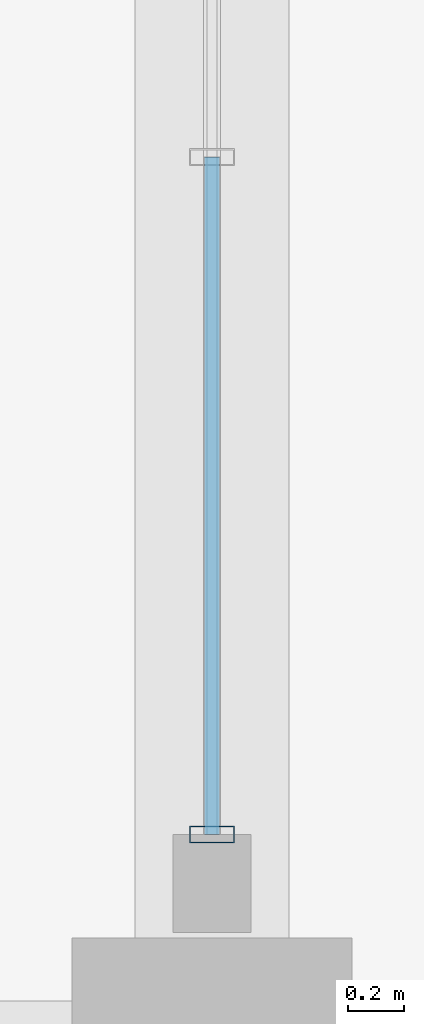
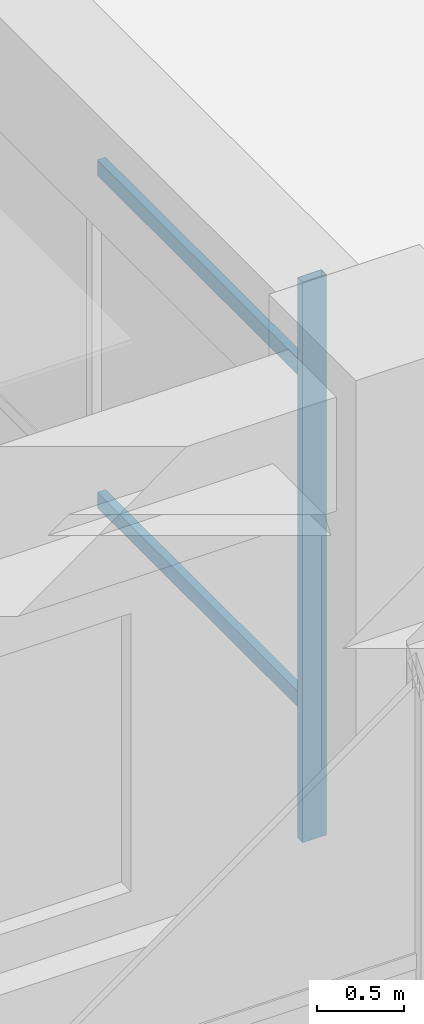
# One storey, part 38 of 109: 3 members, 1 element without a shape of its own.
"""IFC4 building model written with IfcOpenShell, lengths in metres."""

from ifc_helpers import new_model, si_unit, direction, frame, origin, origin_2d, place, context, subcontext, project, spatial, hollow_rectangle, extrude, material, material_profile, profile_set, type_object, element, aggregate, save


model = new_model("IFC4")

# Units and contexts
model_context = context("Model", 3, precision=1e-05, world=origin(), true_north=direction((0.0, 1.0)))
body_context = subcontext(model_context, "Body", "Model", "MODEL_VIEW")
ifc_project = project(units=[si_unit("LENGTHUNIT", "METRE"), si_unit("AREAUNIT", "SQUARE_METRE"), si_unit("VOLUMEUNIT", "CUBIC_METRE"), si_unit("PLANEANGLEUNIT", "RADIAN"), si_unit("MASSUNIT", "GRAM", prefix="KILO")], contexts=[model_context])

# Site, building, storey
site_placement = place(None, origin())
site = spatial("IfcSite", under=ifc_project, at=site_placement, CompositionType="ELEMENT")
building_placement = place(site_placement, origin())
building = spatial("IfcBuilding", under=site, at=building_placement, Name="Ologun Quay Terminus", CompositionType="ELEMENT")
storey_placement = place(building_placement, origin())
storey = spatial("IfcBuildingStorey", under=building, at=storey_placement, Name="L00", CompositionType="ELEMENT", Elevation=0.0)

# Curtain wall, members
ifc_material_1 = material(Name="Aluminium 6063-T6", Category="aluminium")
curtain_wall_type = type_object("IfcCurtainWallType", Name="Rain-Garden West Courtyard Curtain Wall L00 8200x3750", PredefinedType="USERDEFINED", material=ifc_material_1)
curtain_wall_placement = place(storey_placement, origin())
curtain_wall = element("IfcCurtainWall", 1, at=curtain_wall_placement, inside=storey, type_object=curtain_wall_type, Name="CW-13 Curtain Wall CW-L00-094", ObjectType="UNITISED CURTAIN WALL", PredefinedType="USERDEFINED")
ifc_material_2 = material(Name="Aluminium 6063-T6", Category="aluminium")
ifc_material_profile_1 = material_profile(ifc_material_2, hollow_rectangle(XDim=0.06005859375, YDim=0.159912109375, WallThickness=0.00390625, at=origin_2d()), Name="ALU 160x60x4")
ifc_profile_set_1 = profile_set([ifc_material_profile_1], Name="Aluminium 6063-T6")
member_type_1 = type_object("IfcMemberType", Name="Courtyard Screen Mullion 160x65", PredefinedType="MULLION", material=ifc_profile_set_1)
member_1_placement = place(storey_placement, frame((69.0, 86.669921875, 0.0), z_axis=(0.0, 0.0, 1.0), x_axis=(0.0, 1.0, 0.0)))
member_1 = element("IfcMember", 2, at=member_1_placement, type_object=member_type_1, Name="CW-L00-094 Mullion 1", PredefinedType="MULLION", context=body_context, shape_type="SweptSolid", body=[
    extrude(hollow_rectangle(XDim=0.06005859375, YDim=0.159912109375, WallThickness=0.00390625, at=origin_2d()), origin(), (0.0, 0.0, 1.0), 3.929931640625),
])
ifc_material_3 = material(Name="Aluminium 6063-T6", Category="aluminium")
ifc_material_profile_2 = material_profile(ifc_material_3, hollow_rectangle(XDim=0.054931640625, YDim=0.110107421875, WallThickness=0.00390625, at=origin_2d()), Name="ALU 110x55x4")
ifc_profile_set_2 = profile_set([ifc_material_profile_2], Name="Aluminium 6063-T6")
member_type_2 = type_object("IfcMemberType", Name="Courtyard Screen Transom 110x55", PredefinedType="USERDEFINED", material=ifc_profile_set_2)
member_2_placement = place(storey_placement, frame((69.0, 86.669921875, 0.89990234375), z_axis=(0.0, 1.0, 0.0), x_axis=(-1.0, 0.0, 0.0)))
member_2 = element("IfcMember", 3, at=member_2_placement, type_object=member_type_2, Name="CW-L00-094 Transom B1-1", ObjectType="TRANSOM", PredefinedType="USERDEFINED", context=body_context, shape_type="SweptSolid", body=[
    extrude(hollow_rectangle(XDim=0.054931640625, YDim=0.110107421875, WallThickness=0.00390625, at=origin_2d()), origin(), (0.0, 0.0, 1.0), 2.420166015625),
])
member_3_placement = place(storey_placement, frame((69.0, 86.669921875, 3.22998046875), z_axis=(0.0, 1.0, 0.0), x_axis=(-1.0, 0.0, 0.0)))
member_3 = element("IfcMember", 4, at=member_3_placement, type_object=member_type_2, Name="CW-L00-094 Transom B1-2", ObjectType="TRANSOM", PredefinedType="USERDEFINED", context=body_context, shape_type="SweptSolid", body=[
    extrude(hollow_rectangle(XDim=0.054931640625, YDim=0.110107421875, WallThickness=0.00390625, at=origin_2d()), origin(), (0.0, 0.0, 1.0), 2.420166015625),
])
aggregate(curtain_wall, [member_1, member_2, member_3])

save(model, "model.ifc")
